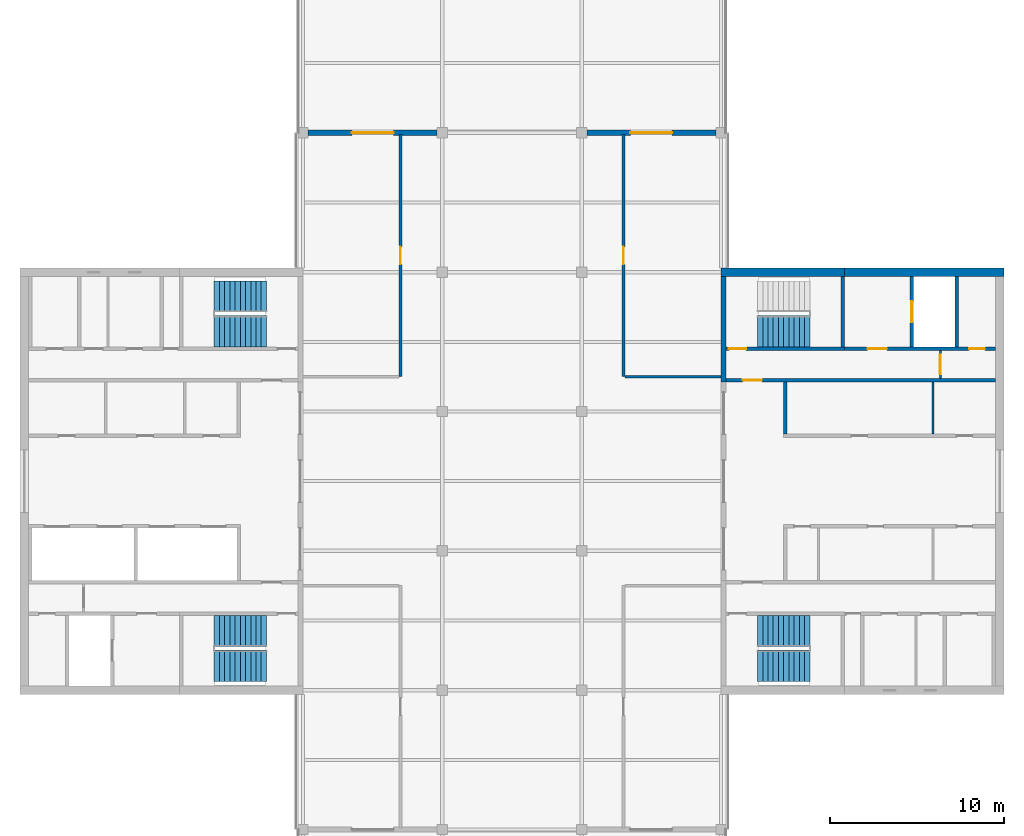
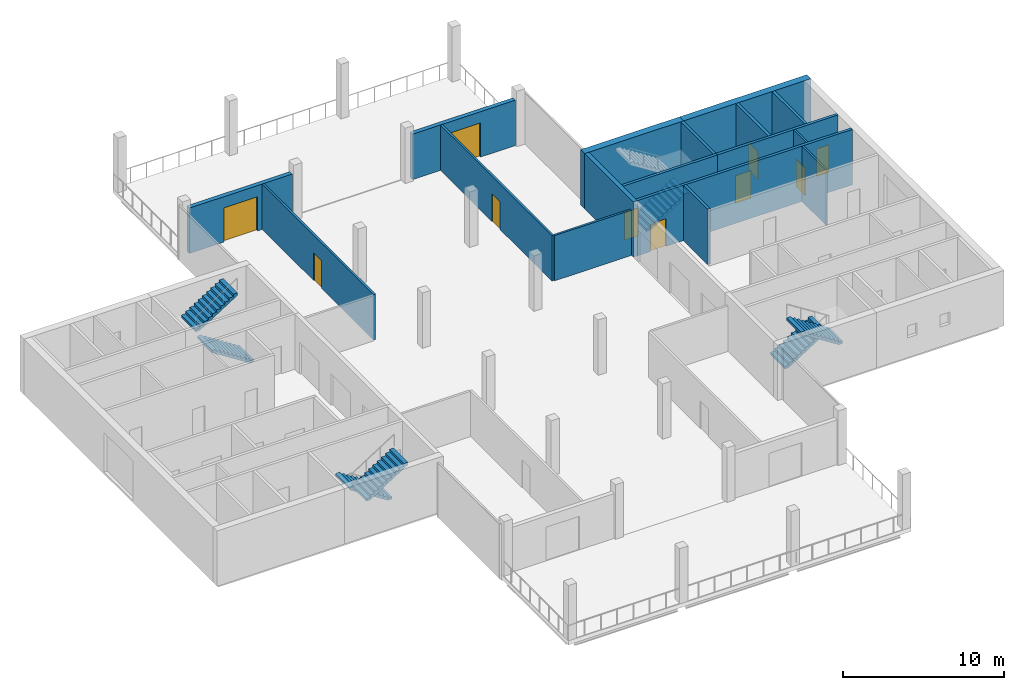
# One storey, part 10 of 12: 17 walls, 10 doors, 7 stair flights, 10 openings, 4 elements without a shape of their own.
"""IFC4 building model written with IfcOpenShell, lengths in metres."""

from ifc_helpers import new_model, si_unit, direction, frame, frame_2d, origin, place, context, subcontext, project, spatial, polyline, rectangle, outline, extrude, material, layer, layer_set, constituent, constituent_set, type_object, element, fill, aggregate, save


model = new_model("IFC4")

# Units and contexts
model_context = context("Model", 3, precision=1e-05, world=origin(), true_north=direction((0.0, 1.0)))
body_context = subcontext(model_context, "Body", "Model", "MODEL_VIEW")
ifc_project = project(units=[si_unit("LENGTHUNIT", "METRE"), si_unit("AREAUNIT", "SQUARE_METRE"), si_unit("VOLUMEUNIT", "CUBIC_METRE"), si_unit("PLANEANGLEUNIT", "RADIAN"), si_unit("MASSUNIT", "GRAM", prefix="KILO")], contexts=[model_context])

# Site, building, storey
site_placement = place(None, origin())
site = spatial("IfcSite", under=ifc_project, at=site_placement, CompositionType="ELEMENT")
building_placement = place(site_placement, origin())
building = spatial("IfcBuilding", under=site, at=building_placement, Name="Crosswind Convention Tower", CompositionType="ELEMENT")
storey_placement = place(building_placement, frame((0.0, 0.0, 323.89990234375)))
storey = spatial("IfcBuildingStorey", under=building, at=storey_placement, Name="L70", CompositionType="ELEMENT", Elevation=323.89990234375)

# Walls
ifc_material_1 = material(Name="Concrete C50/60", Category="concrete")
ifc_layer_1 = layer(ifc_material_1, 0.300048828125)
ifc_layer_set_1 = layer_set([ifc_layer_1], Name="Concrete C50/60")
wall_type_1 = type_object("IfcWallType", Name="Concrete inner core wall 300", PredefinedType="SHEAR", material=ifc_layer_set_1)
wall_1_placement = place(storey_placement, frame((137.14990234375, 105.699951171875, 0.0), z_axis=(0.0, 0.0, 1.0), x_axis=(0.0, 1.0, 0.0)))
element("IfcWall", 1, at=wall_1_placement, inside=storey, type_object=wall_type_1, Name="Wall EP E L70", PredefinedType="SHEAR", context=body_context, shape_type="SweptSolid", body=[
    extrude(rectangle(XDim=6.050048828125, YDim=0.300048828125, at=frame_2d((3.02490234375, 0.0))), origin(), (0.0, 0.0, 1.0), 4.2001953125),
])
ifc_layer_2 = layer(ifc_material_1, 0.199951171875)
ifc_layer_set_2 = layer_set([ifc_layer_2], Name="Concrete C50/60")
wall_type_2 = type_object("IfcWallType", Name="Concrete shaft and stair wall 200", PredefinedType="SHEAR", material=ifc_layer_set_2)
wall_2_placement = place(storey_placement, frame((140.699951171875, 102.699951171875, 0.0), z_axis=(0.0, 0.0, 1.0), x_axis=(0.0, 1.0, 0.0)))
element("IfcWall", 2, at=wall_2_placement, inside=storey, type_object=wall_type_2, Name="Wall RPEND E L70", PredefinedType="SHEAR", context=body_context, shape_type="SweptSolid", body=[
    extrude(rectangle(XDim=3.0, YDim=0.199951171875, at=frame_2d((1.5, 0.0))), origin(), (0.0, 0.0, 1.0), 4.2001953125),
])

# Wall, opening, door
wall_3_placement = place(storey_placement, frame((137.300048828125, 105.800048828125, 0.0), z_axis=(0.0, 0.0, 1.0), x_axis=(1.0, 0.0, 0.0)))
wall_3 = element("IfcWall", 3, at=wall_3_placement, inside=storey, type_object=wall_type_2, Name="Wall HP E L70", PredefinedType="SHEAR", context=body_context, shape_type="SweptSolid", body=[
    extrude(rectangle(XDim=15.449951171875, YDim=0.199951171875, at=frame_2d((7.72509765625, 0.0))), origin(), (0.0, 0.0, 1.0), 4.2001953125),
])
opening_1_placement = place(wall_3_placement, frame((0.949951171875, 0.0, 0.0)))
opening_1 = element("IfcOpeningElement", 4, at=opening_1_placement, cuts=wall_3, Name="Opening D104", PredefinedType="OPENING", context=body_context, shape_type="SweptSolid", body=[
    extrude(rectangle(XDim=1.10009765625, YDim=2.10009765625, at=frame_2d((0.550048828125, 1.050048828125))), frame((0.0, 0.10986328125, 0.0), z_axis=(0.0, -1.0, 0.0), x_axis=(1.0, 0.0, 0.0)), (0.0, 0.0, 1.0), 0.219970703125),
])
ifc_material_2 = material(Name="Steel fire door", Category="steel")
door_type_1 = type_object("IfcDoorType", Name="Fire-rated single door 1100x2100", OperationType="NOTDEFINED", PredefinedType="DOOR", material=ifc_material_2)
door_1_placement = place(opening_1_placement, origin())
door_1 = element("IfcDoor", 5, at=door_1_placement, inside=storey, type_object=door_type_1, Name="Corridor door L70", ObjectType="D104", OperationType="SINGLE_SWING_LEFT", OverallHeight=2.10009765625, OverallWidth=1.10009765625, PredefinedType="DOOR", context=body_context, shape_type="SweptSolid", body=[
    extrude(rectangle(XDim=1.10009765625, YDim=2.10009765625, at=frame_2d((0.550048828125, 1.050048828125))), frame((0.0, 0.02490234375, 0.0), z_axis=(0.0, -1.0, 0.0), x_axis=(1.0, 0.0, 0.0)), (0.0, 0.0, 1.0), 0.050048828125),
])
fill(opening_1, door_1)

# Wall
wall_4_placement = place(storey_placement, frame((144.0, 107.699951171875, 0.0), z_axis=(0.0, 0.0, 1.0), x_axis=(0.0, 1.0, 0.0)))
element("IfcWall", 6, at=wall_4_placement, inside=storey, type_object=wall_type_2, Name="Wall PSE E L70", PredefinedType="SHEAR", context=body_context, shape_type="SweptSolid", body=[
    extrude(rectangle(XDim=4.050048828125, YDim=0.199951171875, at=frame_2d((2.02490234375, 0.0))), origin(), (0.0, 0.0, 1.0), 4.2001953125),
])

# Wall, opening, door
wall_5_placement = place(storey_placement, frame((147.949951171875, 107.699951171875, 0.0), z_axis=(0.0, 0.0, 1.0), x_axis=(0.0, 1.0, 0.0)))
wall_5 = element("IfcWall", 7, at=wall_5_placement, inside=storey, type_object=wall_type_2, Name="Wall PFLW E L70", PredefinedType="SHEAR", context=body_context, shape_type="SweptSolid", body=[
    extrude(rectangle(XDim=4.050048828125, YDim=0.199951171875, at=frame_2d((2.02490234375, 0.0))), origin(), (0.0, 0.0, 1.0), 4.2001953125),
])
opening_2_placement = place(wall_5_placement, frame((1.425048828125, 0.0, 0.0)))
opening_2 = element("IfcOpeningElement", 8, at=opening_2_placement, cuts=wall_5, Name="Opening LD1", PredefinedType="OPENING", context=body_context, shape_type="SweptSolid", body=[
    extrude(rectangle(XDim=1.199951171875, YDim=2.10009765625, at=frame_2d((0.60009765625, 1.050048828125))), frame((0.0, 0.10986328125, 0.0), z_axis=(0.0, -1.0, 0.0), x_axis=(1.0, 0.0, 0.0)), (0.0, 0.0, 1.0), 0.219970703125),
])
ifc_material_3 = material(Name="Stainless steel", Category="steel")
door_type_2 = type_object("IfcDoorType", Name="Lift landing door 1200x2100", OperationType="DOUBLE_DOOR_SLIDING", PredefinedType="DOOR", material=ifc_material_3)
door_2_placement = place(opening_2_placement, origin())
door_2 = element("IfcDoor", 9, at=door_2_placement, inside=storey, type_object=door_type_2, Name="Landing door FF1 L70", ObjectType="LD1", OperationType="DOUBLE_DOOR_SLIDING", OverallHeight=2.10009765625, OverallWidth=1.199951171875, PredefinedType="DOOR", context=body_context, shape_type="SweptSolid", body=[
    extrude(rectangle(XDim=1.199951171875, YDim=2.10009765625, at=frame_2d((0.60009765625, 1.050048828125))), frame((0.0, 0.02490234375, 0.0), z_axis=(0.0, -1.0, 0.0), x_axis=(1.0, 0.0, 0.0)), (0.0, 0.0, 1.0), 0.050048828125),
])
fill(opening_2, door_2)

# Wall
wall_6_placement = place(storey_placement, frame((150.550048828125, 107.699951171875, 0.0), z_axis=(0.0, 0.0, 1.0), x_axis=(0.0, 1.0, 0.0)))
element("IfcWall", 10, at=wall_6_placement, inside=storey, type_object=wall_type_2, Name="Wall PFSE E L70", PredefinedType="SHEAR", context=body_context, shape_type="SweptSolid", body=[
    extrude(rectangle(XDim=4.050048828125, YDim=0.199951171875, at=frame_2d((2.02490234375, 0.0))), origin(), (0.0, 0.0, 1.0), 4.2001953125),
])

# Wall, opening, door
wall_7_placement = place(storey_placement, frame((137.300048828125, 107.60009765625, 0.0), z_axis=(0.0, 0.0, 1.0), x_axis=(1.0, 0.0, 0.0)))
wall_7 = element("IfcWall", 11, at=wall_7_placement, inside=storey, type_object=wall_type_2, Name="Wall PCW E L70", PredefinedType="SHEAR", context=body_context, shape_type="SweptSolid", body=[
    extrude(rectangle(XDim=6.800048828125, YDim=0.199951171875, at=frame_2d((3.39990234375, 0.0))), origin(), (0.0, 0.0, 1.0), 4.2001953125),
])
opening_3_placement = place(wall_7_placement, frame((0.14990234375, 0.0, 0.0)))
opening_3 = element("IfcOpeningElement", 12, at=opening_3_placement, cuts=wall_7, Name="Opening D103", PredefinedType="OPENING", context=body_context, shape_type="SweptSolid", body=[
    extrude(rectangle(XDim=1.0, YDim=2.10009765625, at=frame_2d((0.5, 1.050048828125))), frame((0.0, 0.10986328125, 0.0), z_axis=(0.0, -1.0, 0.0), x_axis=(1.0, 0.0, 0.0)), (0.0, 0.0, 1.0), 0.219970703125),
])
door_type_3 = type_object("IfcDoorType", Name="Fire-rated single door 1000x2100", OperationType="NOTDEFINED", PredefinedType="DOOR", material=ifc_material_2)
door_3_placement = place(opening_3_placement, origin())
door_3 = element("IfcDoor", 13, at=door_3_placement, inside=storey, type_object=door_type_3, Name="Stair ST1 door L70", ObjectType="D103", OperationType="SINGLE_SWING_LEFT", OverallHeight=2.10009765625, OverallWidth=1.0, PredefinedType="DOOR", context=body_context, shape_type="SweptSolid", body=[
    extrude(rectangle(XDim=1.0, YDim=2.10009765625, at=frame_2d((0.5, 1.050048828125))), frame((0.0, 0.02490234375, 0.0), z_axis=(0.0, -1.0, 0.0), x_axis=(1.0, 0.0, 0.0)), (0.0, 0.0, 1.0), 0.050048828125),
])
fill(opening_3, door_3)

# Wall, openings, doors
wall_8_placement = place(storey_placement, frame((144.10009765625, 107.60009765625, 0.0), z_axis=(0.0, 0.0, 1.0), x_axis=(1.0, 0.0, 0.0)))
wall_8 = element("IfcWall", 14, at=wall_8_placement, inside=storey, type_object=wall_type_2, Name="Wall PCX E L70", PredefinedType="SHEAR", context=body_context, shape_type="SweptSolid", body=[
    extrude(rectangle(XDim=8.64990234375, YDim=0.199951171875, at=frame_2d((4.324951171875, 0.0))), origin(), (0.0, 0.0, 1.0), 4.2001953125),
])
opening_4_placement = place(wall_8_placement, frame((1.324951171875, 0.0, 0.0)))
opening_4 = element("IfcOpeningElement", 15, at=opening_4_placement, cuts=wall_8, Name="Opening D104", PredefinedType="OPENING", context=body_context, shape_type="SweptSolid", body=[
    extrude(rectangle(XDim=1.10009765625, YDim=2.10009765625, at=frame_2d((0.550048828125, 1.050048828125))), frame((0.0, 0.10986328125, 0.0), z_axis=(0.0, -1.0, 0.0), x_axis=(1.0, 0.0, 0.0)), (0.0, 0.0, 1.0), 0.219970703125),
])
opening_5_placement = place(wall_8_placement, frame((7.14990234375, 0.0, 0.0)))
opening_5 = element("IfcOpeningElement", 16, at=opening_5_placement, cuts=wall_8, Name="Opening D106", PredefinedType="OPENING", context=body_context, shape_type="SweptSolid", body=[
    extrude(rectangle(XDim=0.89990234375, YDim=2.10009765625, at=frame_2d((0.449951171875, 1.050048828125))), frame((0.0, 0.10986328125, 0.0), z_axis=(0.0, -1.0, 0.0), x_axis=(1.0, 0.0, 0.0)), (0.0, 0.0, 1.0), 0.219970703125),
])
door_4_placement = place(opening_4_placement, origin())
door_4 = element("IfcDoor", 17, at=door_4_placement, inside=storey, type_object=door_type_1, Name="Fire-fighting lobby FF1 door L70", ObjectType="D104", OperationType="SINGLE_SWING_RIGHT", OverallHeight=2.10009765625, OverallWidth=1.10009765625, PredefinedType="DOOR", context=body_context, shape_type="SweptSolid", body=[
    extrude(rectangle(XDim=1.10009765625, YDim=2.10009765625, at=frame_2d((0.550048828125, 1.050048828125))), frame((0.0, 0.02490234375, 0.0), z_axis=(0.0, -1.0, 0.0), x_axis=(1.0, 0.0, 0.0)), (0.0, 0.0, 1.0), 0.050048828125),
])
fill(opening_4, door_4)
ifc_material_4 = material(Name="Timber door", Category="wood")
door_type_4 = type_object("IfcDoorType", Name="Single leaf door 900x2100", OperationType="NOTDEFINED", PredefinedType="DOOR", material=ifc_material_4)
door_5_placement = place(opening_5_placement, origin())
door_5 = element("IfcDoor", 18, at=door_5_placement, inside=storey, type_object=door_type_4, Name="Door to telecoms room L70", ObjectType="D106", OperationType="SINGLE_SWING_RIGHT", OverallHeight=2.10009765625, OverallWidth=0.89990234375, PredefinedType="DOOR", context=body_context, shape_type="SweptSolid", body=[
    extrude(rectangle(XDim=0.89990234375, YDim=2.10009765625, at=frame_2d((0.449951171875, 1.050048828125))), frame((0.0, 0.02490234375, 0.0), z_axis=(0.0, -1.0, 0.0), x_axis=(1.0, 0.0, 0.0)), (0.0, 0.0, 1.0), 0.050048828125),
])
fill(opening_5, door_5)

# Wall
ifc_material_5 = material(Name="Gypsum plasterboard partition", Category="gypsum")
ifc_layer_3 = layer(ifc_material_5, 0.125)
ifc_layer_set_3 = layer_set([ifc_layer_3], Name="Drywall partition wall 125")
wall_type_3 = type_object("IfcWallType", Name="Drywall partition wall 125", PredefinedType="PARTITIONING", material=ifc_layer_set_3)
wall_9_placement = place(storey_placement, frame((149.1650390625, 102.699951171875, 0.0), z_axis=(0.0, 0.0, 1.0), x_axis=(0.0, 1.0, 0.0)))
element("IfcWall", 19, at=wall_9_placement, inside=storey, type_object=wall_type_3, Name="Wall RPP1 E L70", PredefinedType="PARTITIONING", context=body_context, shape_type="SweptSolid", body=[
    extrude(rectangle(XDim=3.0, YDim=0.125, at=frame_2d((1.5, 0.0))), origin(), (0.0, 0.0, 1.0), 4.2001953125),
])

# Wall, opening, door
wall_10_placement = place(storey_placement, frame((149.60009765625, 105.89990234375, 0.0), z_axis=(0.0, 0.0, 1.0), x_axis=(0.0, 1.0, 0.0)))
wall_10 = element("IfcWall", 20, at=wall_10_placement, inside=storey, type_object=wall_type_3, Name="Wall PXC1 E L70", PredefinedType="PARTITIONING", context=body_context, shape_type="SweptSolid", body=[
    extrude(rectangle(XDim=1.60009765625, YDim=0.125, at=frame_2d((0.800048828125, 0.0))), origin(), (0.0, 0.0, 1.0), 4.2001953125),
])
opening_6_placement = place(wall_10_placement, frame((0.25, 0.0, 0.0)))
opening_6 = element("IfcOpeningElement", 21, at=opening_6_placement, cuts=wall_10, Name="Opening D104", PredefinedType="OPENING", context=body_context, shape_type="SweptSolid", body=[
    extrude(rectangle(XDim=1.10009765625, YDim=2.10009765625, at=frame_2d((0.550048828125, 1.050048828125))), frame((0.0, 0.072509765625, 0.0), z_axis=(0.0, -1.0, 0.0), x_axis=(1.0, 0.0, 0.0)), (0.0, 0.0, 1.0), 0.14501953125),
])
door_6_placement = place(opening_6_placement, origin())
door_6 = element("IfcDoor", 22, at=door_6_placement, inside=storey, type_object=door_type_1, Name="Corridor smoke door L70", ObjectType="D104", OperationType="SINGLE_SWING_RIGHT", OverallHeight=2.10009765625, OverallWidth=1.10009765625, PredefinedType="DOOR", context=body_context, shape_type="SweptSolid", body=[
    extrude(rectangle(XDim=1.10009765625, YDim=2.10009765625, at=frame_2d((0.550048828125, 1.050048828125))), frame((0.0, 0.02490234375, 0.0), z_axis=(0.0, -1.0, 0.0), x_axis=(1.0, 0.0, 0.0)), (0.0, 0.0, 1.0), 0.050048828125),
])
fill(opening_6, door_6)

ifc_material_6 = material(Name="Fire-board partition with mineral wool", Category="gypsum")
ifc_layer_4 = layer(ifc_material_6, 0.14990234375)
ifc_layer_set_4 = layer_set([ifc_layer_4], Name="TENANCY WALL 150 TWO-HOUR BOARD")
wall_type_4 = type_object("IfcWallType", Name="TENANCY WALL 150 TWO-HOUR BOARD", PredefinedType="PARTITIONING", material=ifc_layer_set_4)
wall_11_placement = place(storey_placement, frame((118.60009765625, 106.0, 0.0), z_axis=(0.0, 0.0, 1.0), x_axis=(0.0, 1.0, 0.0)))
wall_11 = element("IfcWall", 23, at=wall_11_placement, inside=storey, type_object=wall_type_4, Name="Tenancy wall WT41", PredefinedType="PARTITIONING", context=body_context, shape_type="SweptSolid", body=[
    extrude(rectangle(XDim=13.89990234375, YDim=0.14990234375, at=frame_2d((6.949951171875, 0.0))), origin(), (0.0, 0.0, 1.0), 3.44287109375),
])
opening_7_placement = place(wall_11_placement, frame((6.449951171875, 0.0, 0.0)))
opening_7 = element("IfcOpeningElement", 24, at=opening_7_placement, cuts=wall_11, Name="Opening L70-52", PredefinedType="OPENING", context=body_context, shape_type="SweptSolid", body=[
    extrude(rectangle(XDim=1.0, YDim=2.10009765625, at=frame_2d((0.5, 1.050048828125))), frame((0.0, 0.0849609375, 0.0), z_axis=(0.0, -1.0, 0.0), x_axis=(1.0, 0.0, 0.0)), (0.0, 0.0, 1.0), 0.169921875),
])
ifc_material_7 = material(Name="Timber fire door", Category="wood")
door_type_5 = type_object("IfcDoorType", Name="TENANCY ENTRANCE DOOR 1000X2100 FD30S", OperationType="NOTDEFINED", PredefinedType="DOOR", material=ifc_material_7)
door_7_placement = place(opening_7_placement, origin())
door_7 = element("IfcDoor", 25, at=door_7_placement, inside=storey, type_object=door_type_5, Name="Door L70-52", ObjectType="D41", OperationType="SINGLE_SWING_RIGHT", OverallHeight=2.10009765625, OverallWidth=1.0, PredefinedType="DOOR", context=body_context, shape_type="SweptSolid", body=[
    extrude(rectangle(XDim=1.0, YDim=2.10009765625, at=frame_2d((0.5, 1.050048828125))), frame((0.0, 0.02490234375, 0.0), z_axis=(0.0, -1.0, 0.0), x_axis=(1.0, 0.0, 0.0)), (0.0, 0.0, 1.0), 0.050048828125),
])
fill(opening_7, door_7)

wall_12_placement = place(storey_placement, frame((131.39990234375, 106.0, 0.0), z_axis=(0.0, 0.0, 1.0), x_axis=(0.0, 1.0, 0.0)))
wall_12 = element("IfcWall", 26, at=wall_12_placement, inside=storey, type_object=wall_type_4, Name="Tenancy wall WT41", PredefinedType="PARTITIONING", context=body_context, shape_type="SweptSolid", body=[
    extrude(rectangle(XDim=13.89990234375, YDim=0.14990234375, at=frame_2d((6.949951171875, 0.0))), origin(), (0.0, 0.0, 1.0), 3.44287109375),
])
opening_8_placement = place(wall_12_placement, frame((6.449951171875, 0.0, 0.0)))
opening_8 = element("IfcOpeningElement", 27, at=opening_8_placement, cuts=wall_12, Name="Opening L70-50", PredefinedType="OPENING", context=body_context, shape_type="SweptSolid", body=[
    extrude(rectangle(XDim=1.0, YDim=2.10009765625, at=frame_2d((0.5, 1.050048828125))), frame((0.0, 0.0849609375, 0.0), z_axis=(0.0, -1.0, 0.0), x_axis=(1.0, 0.0, 0.0)), (0.0, 0.0, 1.0), 0.169921875),
])
door_8_placement = place(opening_8_placement, frame((1.0, 0.0, 0.0), z_axis=(0.0, 0.0, 1.0), x_axis=(-1.0, 0.0, 0.0)))
door_8 = element("IfcDoor", 28, at=door_8_placement, inside=storey, type_object=door_type_5, Name="Door L70-50", ObjectType="D41", OperationType="SINGLE_SWING_LEFT", OverallHeight=2.10009765625, OverallWidth=1.0, PredefinedType="DOOR", context=body_context, shape_type="SweptSolid", body=[
    extrude(rectangle(XDim=1.0, YDim=2.10009765625, at=frame_2d((0.5, 1.050048828125))), frame((0.0, 0.02490234375, 0.0), z_axis=(0.0, -1.0, 0.0), x_axis=(1.0, 0.0, 0.0)), (0.0, 0.0, 1.0), 0.050048828125),
])
fill(opening_8, door_8)

# Wall
wall_13_placement = place(storey_placement, frame((131.47509765625, 106.0, 0.0), z_axis=(0.0, 0.0, 1.0), x_axis=(1.0, 0.0, 0.0)))
element("IfcWall", 29, at=wall_13_placement, inside=storey, type_object=wall_type_4, Name="Tenancy wall WT41", PredefinedType="PARTITIONING", context=body_context, shape_type="SweptSolid", body=[
    extrude(rectangle(XDim=5.52490234375, YDim=0.14990234375, at=frame_2d((2.762451171875, 0.0))), origin(), (0.0, 0.0, 1.0), 3.44287109375),
])

# Wall, opening, door
ifc_material_8 = material(Name="Terracotta rainscreen", Category="ceramic")
ifc_layer_5 = layer(ifc_material_8, 0.02001953125)
ifc_material_9 = material(Name="Mineral wool insulation", Category="insulation")
ifc_layer_6 = layer(ifc_material_9, 0.10009765625)
ifc_material_10 = material(Name="Concrete blockwork", Category="masonry")
ifc_layer_7 = layer(ifc_material_10, 0.179931640625)
ifc_layer_set_5 = layer_set([ifc_layer_5, ifc_layer_6, ifc_layer_7], Name="TERRACOTTA INFILL WALL 300")
wall_type_5 = type_object("IfcWallType", Name="TERRACOTTA INFILL WALL 300", PredefinedType="SOLIDWALL", material=ifc_layer_set_5)
wall_14_placement = place(storey_placement, frame((113.300048828125, 120.0, 0.0), z_axis=(0.0, 0.0, 1.0), x_axis=(1.0, 0.0, 0.0)))
wall_14 = element("IfcWall", 30, at=wall_14_placement, inside=storey, type_object=wall_type_5, Name="Portal front wall L70 N 1", PredefinedType="SOLIDWALL", context=body_context, shape_type="SweptSolid", body=[
    extrude(rectangle(XDim=7.39990234375, YDim=0.300048828125, at=frame_2d((3.699951171875, 0.0))), origin(), (0.0, 0.0, 1.0), 3.446533203125),
])
opening_9_placement = place(wall_14_placement, frame((2.5, 0.0, 0.0)))
opening_9 = element("IfcOpeningElement", 31, at=opening_9_placement, cuts=wall_14, Name="Opening D142", PredefinedType="OPENING", context=body_context, shape_type="SweptSolid", body=[
    extrude(rectangle(XDim=2.39990234375, YDim=2.60009765625, at=frame_2d((1.199951171875, 1.300048828125))), frame((0.0, 0.159912109375, 0.0), z_axis=(0.0, -1.0, 0.0), x_axis=(1.0, 0.0, 0.0)), (0.0, 0.0, 1.0), 0.320068359375),
])
ifc_material_11 = material(Name="Aluminium glazed door", Category="aluminium")
door_type_6 = type_object("IfcDoorType", Name="SKY DECK DOUBLE DOOR 2400X2600", OperationType="DOUBLE_DOOR_SINGLE_SWING", PredefinedType="DOOR", material=ifc_material_11)
door_9_placement = place(opening_9_placement, origin())
door_9 = element("IfcDoor", 32, at=door_9_placement, inside=storey, type_object=door_type_6, Name="D142 sky deck door L70 N 1", ObjectType="D142", OperationType="DOUBLE_DOOR_SINGLE_SWING", OverallHeight=2.60009765625, OverallWidth=2.39990234375, PredefinedType="DOOR", context=body_context, shape_type="SweptSolid", body=[
    extrude(rectangle(XDim=2.39990234375, YDim=2.60009765625, at=frame_2d((1.199951171875, 1.300048828125))), frame((0.0, 0.02490234375, 0.0), z_axis=(0.0, -1.0, 0.0), x_axis=(1.0, 0.0, 0.0)), (0.0, 0.0, 1.0), 0.050048828125),
])
fill(opening_9, door_9)

wall_15_placement = place(storey_placement, frame((129.300048828125, 120.0, 0.0), z_axis=(0.0, 0.0, 1.0), x_axis=(1.0, 0.0, 0.0)))
wall_15 = element("IfcWall", 33, at=wall_15_placement, inside=storey, type_object=wall_type_5, Name="Portal front wall L70 N 3", PredefinedType="SOLIDWALL", context=body_context, shape_type="SweptSolid", body=[
    extrude(rectangle(XDim=7.39990234375, YDim=0.300048828125, at=frame_2d((3.699951171875, 0.0))), origin(), (0.0, 0.0, 1.0), 3.446533203125),
])
opening_10_placement = place(wall_15_placement, frame((2.5, 0.0, 0.0)))
opening_10 = element("IfcOpeningElement", 34, at=opening_10_placement, cuts=wall_15, Name="Opening D142", PredefinedType="OPENING", context=body_context, shape_type="SweptSolid", body=[
    extrude(rectangle(XDim=2.39990234375, YDim=2.60009765625, at=frame_2d((1.199951171875, 1.300048828125))), frame((0.0, 0.159912109375, 0.0), z_axis=(0.0, -1.0, 0.0), x_axis=(1.0, 0.0, 0.0)), (0.0, 0.0, 1.0), 0.320068359375),
])
door_10_placement = place(opening_10_placement, origin())
door_10 = element("IfcDoor", 35, at=door_10_placement, inside=storey, type_object=door_type_6, Name="D142 sky deck door L70 N 3", ObjectType="D142", OperationType="DOUBLE_DOOR_SINGLE_SWING", OverallHeight=2.60009765625, OverallWidth=2.39990234375, PredefinedType="DOOR", context=body_context, shape_type="SweptSolid", body=[
    extrude(rectangle(XDim=2.39990234375, YDim=2.60009765625, at=frame_2d((1.199951171875, 1.300048828125))), frame((0.0, 0.02490234375, 0.0), z_axis=(0.0, -1.0, 0.0), x_axis=(1.0, 0.0, 0.0)), (0.0, 0.0, 1.0), 0.050048828125),
])
fill(opening_10, door_10)

# Walls
ifc_material_12 = material(Name="Concrete C60/75", Category="concrete")
ifc_constituent_1 = constituent(ifc_material_12, Name="Structure")
ifc_constituent_2 = constituent(ifc_material_8, Name="Facing")
ifc_constituent_set = constituent_set(constituents=[ifc_constituent_1, ifc_constituent_2], Name="Concrete C60/75, Terracotta rainscreen")
wall_type_6 = type_object("IfcWallType", Name="Terracotta rainscreen on concrete core wall 500", PredefinedType="SHEAR", material=ifc_constituent_set)
wall_16_placement = place(storey_placement, frame((137.0, 112.0, 0.0), z_axis=(0.0, 0.0, 1.0), x_axis=(1.0, 0.0, 0.0)))
element("IfcWall", 36, at=wall_16_placement, inside=storey, type_object=wall_type_6, Name="Wall N1 E L70", PredefinedType="SHEAR", context=body_context, shape_type="SweptSolid", body=[
    extrude(rectangle(XDim=7.10009765625, YDim=0.5, at=frame_2d((3.550048828125, 0.0))), origin(), (0.0, 0.0, 1.0), 4.2001953125),
])
wall_17_placement = place(storey_placement, frame((144.10009765625, 112.0, 0.0), z_axis=(0.0, 0.0, 1.0), x_axis=(1.0, 0.0, 0.0)))
element("IfcWall", 37, at=wall_17_placement, inside=storey, type_object=wall_type_6, Name="Wall N2 E L70", PredefinedType="SHEAR", context=body_context, shape_type="SweptSolid", body=[
    extrude(rectangle(XDim=9.14990234375, YDim=0.5, at=frame_2d((4.574951171875, 0.0))), origin(), (0.0, 0.0, 1.0), 4.2001953125),
])

# Stair, stair flight
ifc_material_13 = material(Name="Concrete C40/50", Category="concrete")
stair_type = type_object("IfcStairType", Name="Exit stair 1800 wide, 2 flights of 11 risers", PredefinedType="HALF_TURN_STAIR", material=ifc_material_13)
stair_1_placement = place(storey_placement, origin())
stair_1 = element("IfcStair", 38, at=stair_1_placement, inside=storey, type_object=stair_type, Name="Exit stair ST1 L70", ObjectType="ST5", PredefinedType="HALF_TURN_STAIR")
stair_flight_type = type_object("IfcStairFlightType", Name="Stair flight 1800 wide, 11 risers (SF4)", PredefinedType="STRAIGHT", material=ifc_material_13)
stair_flight_1_placement = place(storey_placement, frame((139.10009765625, 108.60009765625, 0.0), z_axis=(0.0, 0.0, 1.0), x_axis=(1.0, 0.0, 0.0)))
stair_flight_1 = element("IfcStairFlight", 39, at=stair_flight_1_placement, type_object=stair_flight_type, Name="ST1 flight 1", NumberOfRisers=11, NumberOfTreads=10, PredefinedType="STRAIGHT", RiserHeight=0.190909091, TreadLength=0.3, context=body_context, shape_type="SweptSolid", body=[
    extrude(outline(polyline([(0.0, 0.0), (0.0, 0.19091796875), (0.300048828125, 0.19091796875), (0.300048828125, 0.3818359375), (0.60009765625, 0.3818359375), (0.60009765625, 0.57275390625), (0.89990234375, 0.57275390625), (0.89990234375, 0.763671875), (1.199951171875, 0.763671875), (1.199951171875, 0.95458984375), (1.5, 0.95458984375), (1.5, 1.1455078125), (1.800048828125, 1.1455078125), (1.800048828125, 1.33642578125), (2.10009765625, 1.33642578125), (2.10009765625, 1.52734375), (2.39990234375, 1.52734375), (2.39990234375, 1.71826171875), (2.699951171875, 1.71826171875), (2.699951171875, 1.9091796875), (3.0, 1.9091796875), (3.0, 2.10009765625), (3.0, 1.7314453125), (0.279296875, 0.0), (0.0, 0.0)])), frame((0.0, 0.89990234375, 0.0), z_axis=(0.0, -1.0, 0.0), x_axis=(1.0, 0.0, 0.0)), (0.0, 0.0, 1.0), 1.800048828125),
])
aggregate(stair_1, [stair_flight_1])

# Stair, stair flights
stair_2_placement = place(storey_placement, origin())
stair_2 = element("IfcStair", 40, at=stair_2_placement, inside=storey, type_object=stair_type, Name="Exit stair ST2 L70", ObjectType="ST5", PredefinedType="HALF_TURN_STAIR")
stair_flight_2_placement = place(storey_placement, frame((139.10009765625, 91.39990234375, 0.0), z_axis=(0.0, 0.0, 1.0), x_axis=(1.0, 0.0, 0.0)))
stair_flight_2 = element("IfcStairFlight", 41, at=stair_flight_2_placement, type_object=stair_flight_type, Name="ST2 flight 1", NumberOfRisers=11, NumberOfTreads=10, PredefinedType="STRAIGHT", RiserHeight=0.190909091, TreadLength=0.3, context=body_context, shape_type="SweptSolid", body=[
    extrude(outline(polyline([(0.0, 0.0), (0.0, 0.19091796875), (0.300048828125, 0.19091796875), (0.300048828125, 0.3818359375), (0.60009765625, 0.3818359375), (0.60009765625, 0.57275390625), (0.89990234375, 0.57275390625), (0.89990234375, 0.763671875), (1.199951171875, 0.763671875), (1.199951171875, 0.95458984375), (1.5, 0.95458984375), (1.5, 1.1455078125), (1.800048828125, 1.1455078125), (1.800048828125, 1.33642578125), (2.10009765625, 1.33642578125), (2.10009765625, 1.52734375), (2.39990234375, 1.52734375), (2.39990234375, 1.71826171875), (2.699951171875, 1.71826171875), (2.699951171875, 1.9091796875), (3.0, 1.9091796875), (3.0, 2.10009765625), (3.0, 1.7314453125), (0.279296875, 0.0), (0.0, 0.0)])), frame((0.0, 0.89990234375, 0.0), z_axis=(0.0, -1.0, 0.0), x_axis=(1.0, 0.0, 0.0)), (0.0, 0.0, 1.0), 1.800048828125),
])
stair_flight_3_placement = place(storey_placement, frame((142.10009765625, 89.39990234375, 2.10009765625), z_axis=(0.0, 0.0, 1.0), x_axis=(-1.0, 0.0, 0.0)))
stair_flight_3 = element("IfcStairFlight", 42, at=stair_flight_3_placement, type_object=stair_flight_type, Name="ST2 flight 2", NumberOfRisers=11, NumberOfTreads=10, PredefinedType="STRAIGHT", RiserHeight=0.190909091, TreadLength=0.3, context=body_context, shape_type="SweptSolid", body=[
    extrude(outline(polyline([(0.0, 0.0), (0.0, 0.19091796875), (0.300048828125, 0.19091796875), (0.300048828125, 0.3818359375), (0.60009765625, 0.3818359375), (0.60009765625, 0.57275390625), (0.89990234375, 0.57275390625), (0.89990234375, 0.763671875), (1.199951171875, 0.763671875), (1.199951171875, 0.95458984375), (1.5, 0.95458984375), (1.5, 1.1455078125), (1.800048828125, 1.1455078125), (1.800048828125, 1.33642578125), (2.10009765625, 1.33642578125), (2.10009765625, 1.52734375), (2.39990234375, 1.52734375), (2.39990234375, 1.71826171875), (2.699951171875, 1.71826171875), (2.699951171875, 1.9091796875), (3.0, 1.9091796875), (3.0, 2.10009765625), (3.0, 1.7314453125), (0.279296875, 0.0), (0.0, 0.0)])), frame((0.0, 0.89990234375, 0.0), z_axis=(0.0, -1.0, 0.0), x_axis=(1.0, 0.0, 0.0)), (0.0, 0.0, 1.0), 1.800048828125),
])
aggregate(stair_2, [stair_flight_2, stair_flight_3])

stair_3_placement = place(storey_placement, origin())
stair_3 = element("IfcStair", 43, at=stair_3_placement, inside=storey, type_object=stair_type, Name="Exit stair ST3 L70", ObjectType="ST5", PredefinedType="HALF_TURN_STAIR")
stair_flight_4_placement = place(storey_placement, frame((110.89990234375, 91.39990234375, 0.0), z_axis=(0.0, 0.0, 1.0), x_axis=(-1.0, 0.0, 0.0)))
stair_flight_4 = element("IfcStairFlight", 44, at=stair_flight_4_placement, type_object=stair_flight_type, Name="ST3 flight 1", NumberOfRisers=11, NumberOfTreads=10, PredefinedType="STRAIGHT", RiserHeight=0.190909091, TreadLength=0.3, context=body_context, shape_type="SweptSolid", body=[
    extrude(outline(polyline([(0.0, 0.0), (0.0, 0.19091796875), (0.300048828125, 0.19091796875), (0.300048828125, 0.3818359375), (0.60009765625, 0.3818359375), (0.60009765625, 0.57275390625), (0.89990234375, 0.57275390625), (0.89990234375, 0.763671875), (1.199951171875, 0.763671875), (1.199951171875, 0.95458984375), (1.5, 0.95458984375), (1.5, 1.1455078125), (1.800048828125, 1.1455078125), (1.800048828125, 1.33642578125), (2.10009765625, 1.33642578125), (2.10009765625, 1.52734375), (2.39990234375, 1.52734375), (2.39990234375, 1.71826171875), (2.699951171875, 1.71826171875), (2.699951171875, 1.9091796875), (3.0, 1.9091796875), (3.0, 2.10009765625), (3.0, 1.7314453125), (0.279296875, 0.0), (0.0, 0.0)])), frame((0.0, 0.89990234375, 0.0), z_axis=(0.0, -1.0, 0.0), x_axis=(1.0, 0.0, 0.0)), (0.0, 0.0, 1.0), 1.800048828125),
])
stair_flight_5_placement = place(storey_placement, frame((107.89990234375, 89.39990234375, 2.10009765625), z_axis=(0.0, 0.0, 1.0), x_axis=(1.0, 0.0, 0.0)))
stair_flight_5 = element("IfcStairFlight", 45, at=stair_flight_5_placement, type_object=stair_flight_type, Name="ST3 flight 2", NumberOfRisers=11, NumberOfTreads=10, PredefinedType="STRAIGHT", RiserHeight=0.190909091, TreadLength=0.3, context=body_context, shape_type="SweptSolid", body=[
    extrude(outline(polyline([(0.0, 0.0), (0.0, 0.19091796875), (0.300048828125, 0.19091796875), (0.300048828125, 0.3818359375), (0.60009765625, 0.3818359375), (0.60009765625, 0.57275390625), (0.89990234375, 0.57275390625), (0.89990234375, 0.763671875), (1.199951171875, 0.763671875), (1.199951171875, 0.95458984375), (1.5, 0.95458984375), (1.5, 1.1455078125), (1.800048828125, 1.1455078125), (1.800048828125, 1.33642578125), (2.10009765625, 1.33642578125), (2.10009765625, 1.52734375), (2.39990234375, 1.52734375), (2.39990234375, 1.71826171875), (2.699951171875, 1.71826171875), (2.699951171875, 1.9091796875), (3.0, 1.9091796875), (3.0, 2.10009765625), (3.0, 1.7314453125), (0.279296875, 0.0), (0.0, 0.0)])), frame((0.0, 0.89990234375, 0.0), z_axis=(0.0, -1.0, 0.0), x_axis=(1.0, 0.0, 0.0)), (0.0, 0.0, 1.0), 1.800048828125),
])
aggregate(stair_3, [stair_flight_4, stair_flight_5])

stair_4_placement = place(storey_placement, origin())
stair_4 = element("IfcStair", 46, at=stair_4_placement, inside=storey, type_object=stair_type, Name="Exit stair ST4 L70", ObjectType="ST5", PredefinedType="HALF_TURN_STAIR")
stair_flight_6_placement = place(storey_placement, frame((110.89990234375, 108.60009765625, 0.0), z_axis=(0.0, 0.0, 1.0), x_axis=(-1.0, 0.0, 0.0)))
stair_flight_6 = element("IfcStairFlight", 47, at=stair_flight_6_placement, type_object=stair_flight_type, Name="ST4 flight 1", NumberOfRisers=11, NumberOfTreads=10, PredefinedType="STRAIGHT", RiserHeight=0.190909091, TreadLength=0.3, context=body_context, shape_type="SweptSolid", body=[
    extrude(outline(polyline([(0.0, 0.0), (0.0, 0.19091796875), (0.300048828125, 0.19091796875), (0.300048828125, 0.3818359375), (0.60009765625, 0.3818359375), (0.60009765625, 0.57275390625), (0.89990234375, 0.57275390625), (0.89990234375, 0.763671875), (1.199951171875, 0.763671875), (1.199951171875, 0.95458984375), (1.5, 0.95458984375), (1.5, 1.1455078125), (1.800048828125, 1.1455078125), (1.800048828125, 1.33642578125), (2.10009765625, 1.33642578125), (2.10009765625, 1.52734375), (2.39990234375, 1.52734375), (2.39990234375, 1.71826171875), (2.699951171875, 1.71826171875), (2.699951171875, 1.9091796875), (3.0, 1.9091796875), (3.0, 2.10009765625), (3.0, 1.7314453125), (0.279296875, 0.0), (0.0, 0.0)])), frame((0.0, 0.89990234375, 0.0), z_axis=(0.0, -1.0, 0.0), x_axis=(1.0, 0.0, 0.0)), (0.0, 0.0, 1.0), 1.800048828125),
])
stair_flight_7_placement = place(storey_placement, frame((107.89990234375, 110.60009765625, 2.10009765625), z_axis=(0.0, 0.0, 1.0), x_axis=(1.0, 0.0, 0.0)))
stair_flight_7 = element("IfcStairFlight", 48, at=stair_flight_7_placement, type_object=stair_flight_type, Name="ST4 flight 2", NumberOfRisers=11, NumberOfTreads=10, PredefinedType="STRAIGHT", RiserHeight=0.190909091, TreadLength=0.3, context=body_context, shape_type="SweptSolid", body=[
    extrude(outline(polyline([(0.0, 0.0), (0.0, 0.19091796875), (0.300048828125, 0.19091796875), (0.300048828125, 0.3818359375), (0.60009765625, 0.3818359375), (0.60009765625, 0.57275390625), (0.89990234375, 0.57275390625), (0.89990234375, 0.763671875), (1.199951171875, 0.763671875), (1.199951171875, 0.95458984375), (1.5, 0.95458984375), (1.5, 1.1455078125), (1.800048828125, 1.1455078125), (1.800048828125, 1.33642578125), (2.10009765625, 1.33642578125), (2.10009765625, 1.52734375), (2.39990234375, 1.52734375), (2.39990234375, 1.71826171875), (2.699951171875, 1.71826171875), (2.699951171875, 1.9091796875), (3.0, 1.9091796875), (3.0, 2.10009765625), (3.0, 1.7314453125), (0.279296875, 0.0), (0.0, 0.0)])), frame((0.0, 0.89990234375, 0.0), z_axis=(0.0, -1.0, 0.0), x_axis=(1.0, 0.0, 0.0)), (0.0, 0.0, 1.0), 1.800048828125),
])
aggregate(stair_4, [stair_flight_6, stair_flight_7])

save(model, "model.ifc")
